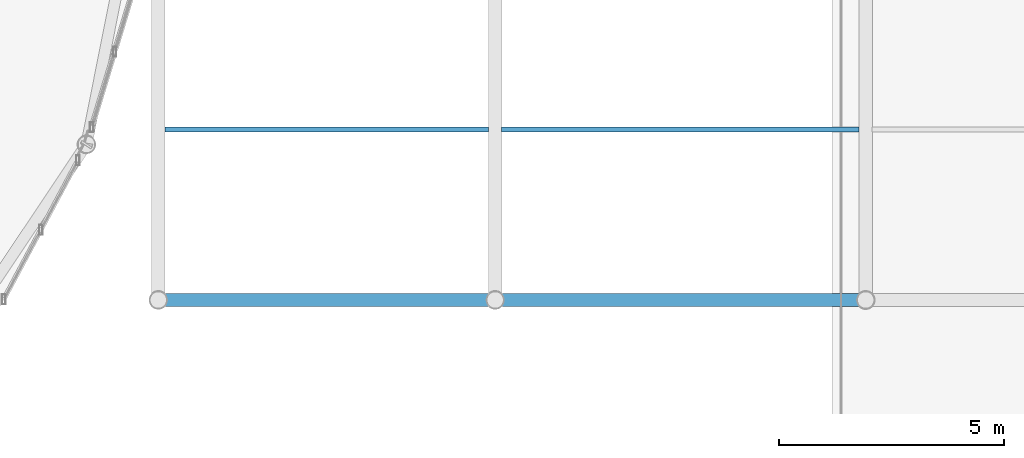
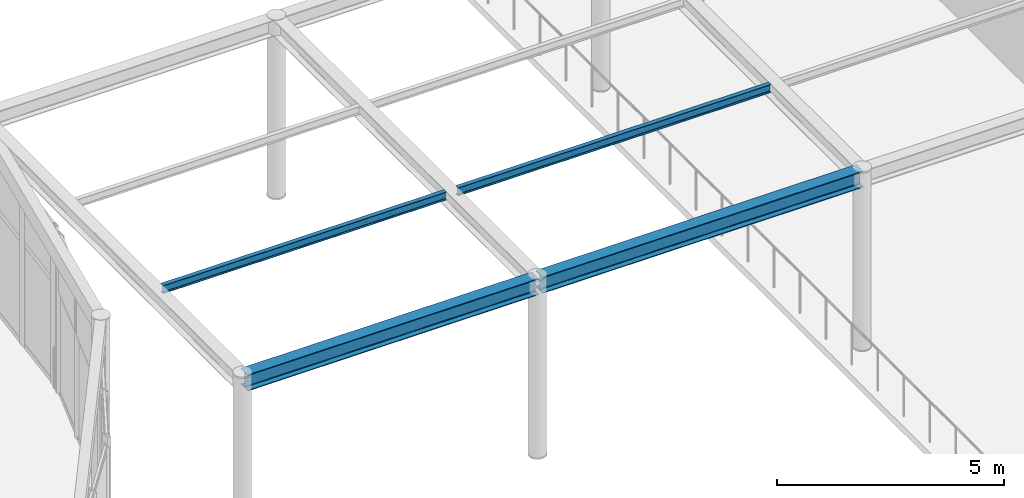
# One storey, part 48 of 143: 4 beams.
"""IFC4 building model written with IfcOpenShell, lengths in metres."""

from ifc_helpers import new_model, si_unit, direction, frame, origin, origin_2d, place, context, subcontext, project, spatial, i_section, extrude, material, material_profile, profile_set, type_object, element, save


model = new_model("IFC4")

# Units and contexts
model_context = context("Model", 3, precision=1e-05, world=origin(), true_north=direction((0.0, 1.0)))
body_context = subcontext(model_context, "Body", "Model", "MODEL_VIEW")
ifc_project = project(units=[si_unit("LENGTHUNIT", "METRE"), si_unit("AREAUNIT", "SQUARE_METRE"), si_unit("VOLUMEUNIT", "CUBIC_METRE"), si_unit("PLANEANGLEUNIT", "RADIAN"), si_unit("MASSUNIT", "GRAM", prefix="KILO")], contexts=[model_context])

# Site, building, storey
site_placement = place(None, origin())
site = spatial("IfcSite", under=ifc_project, at=site_placement, CompositionType="ELEMENT")
building_placement = place(site_placement, origin())
building = spatial("IfcBuilding", under=site, at=building_placement, Name="Marlcrest Central Station", CompositionType="ELEMENT")
storey_placement = place(building_placement, frame((0.0, 0.0, 4.800048828125)))
storey = spatial("IfcBuildingStorey", under=building, at=storey_placement, Name="L01", CompositionType="ELEMENT", Elevation=4.800048828125)

# Beams
ifc_material = material(Name="Steel S355", Category="steel")
ifc_material_profile_1 = material_profile(ifc_material, i_section(OverallWidth=0.300048828125, OverallDepth=0.43994140625, WebThickness=0.011474609375, FlangeThickness=0.02099609375, FilletRadius=0.027099609375, at=origin_2d()), Name="HEA 450")
ifc_profile_set_1 = profile_set([ifc_material_profile_1], Name="Steel S355")
beam_type_1 = type_object("IfcBeamType", Name="BM-09", PredefinedType="BEAM", material=ifc_profile_set_1)
beam_1_placement = place(storey_placement, frame((129.050048828125, 11.0, 4.594970703125), z_axis=(1.0, 0.0, 0.0), x_axis=(0.0, 1.0, 0.0)))
element("IfcBeam", 1, at=beam_1_placement, inside=storey, type_object=beam_type_1, Name="bm-BM-09-L01-01540", PredefinedType="BEAM", context=body_context, shape_type="SweptSolid", body=[
    extrude(i_section(OverallWidth=0.300048828125, OverallDepth=0.43994140625, WebThickness=0.011474609375, FlangeThickness=0.02099609375, FilletRadius=0.027099609375, at=origin_2d()), origin(), (0.0, 0.0, 1.0), 7.39990234375),
])
beam_2_placement = place(storey_placement, frame((136.550048828125, 11.0, 4.594970703125), z_axis=(1.0, 0.0, 0.0), x_axis=(0.0, 1.0, 0.0)))
element("IfcBeam", 2, at=beam_2_placement, inside=storey, type_object=beam_type_1, Name="bm-BM-09-L01-01541", PredefinedType="BEAM", context=body_context, shape_type="SweptSolid", body=[
    extrude(i_section(OverallWidth=0.300048828125, OverallDepth=0.43994140625, WebThickness=0.011474609375, FlangeThickness=0.02099609375, FilletRadius=0.027099609375, at=origin_2d()), origin(), (0.0, 0.0, 1.0), 8.14990234375),
])
ifc_material_profile_2 = material_profile(ifc_material, i_section(OverallWidth=0.110107421875, OverallDepth=0.219970703125, WebThickness=0.005859375, FlangeThickness=0.00927734375, FilletRadius=0.011962890625, at=origin_2d()), Name="IPE 220")
ifc_profile_set_2 = profile_set([ifc_material_profile_2], Name="Steel S355")
beam_type_2 = type_object("IfcBeamType", Name="JS-02", PredefinedType="JOIST", material=ifc_profile_set_2)
beam_3_placement = place(storey_placement, frame((129.14501953125, 14.800048828125, 4.704833984375), z_axis=(1.0, 0.0, 0.0), x_axis=(0.0, 1.0, 0.0)))
element("IfcBeam", 3, at=beam_3_placement, inside=storey, type_object=beam_type_2, Name="bm-JS-02-L01-01543", PredefinedType="JOIST", context=body_context, shape_type="SweptSolid", body=[
    extrude(i_section(OverallWidth=0.110107421875, OverallDepth=0.219970703125, WebThickness=0.005859375, FlangeThickness=0.00927734375, FilletRadius=0.011962890625, at=origin_2d()), origin(), (0.0, 0.0, 1.0), 7.2099609375),
])
beam_4_placement = place(storey_placement, frame((136.64501953125, 14.800048828125, 4.704833984375), z_axis=(1.0, 0.0, 0.0), x_axis=(0.0, 1.0, 0.0)))
element("IfcBeam", 4, at=beam_4_placement, inside=storey, type_object=beam_type_2, Name="bm-JS-02-L01-01544", PredefinedType="JOIST", context=body_context, shape_type="SweptSolid", body=[
    extrude(i_section(OverallWidth=0.110107421875, OverallDepth=0.219970703125, WebThickness=0.005859375, FlangeThickness=0.00927734375, FilletRadius=0.011962890625, at=origin_2d()), origin(), (0.0, 0.0, 1.0), 7.9599609375),
])

save(model, "model.ifc")
